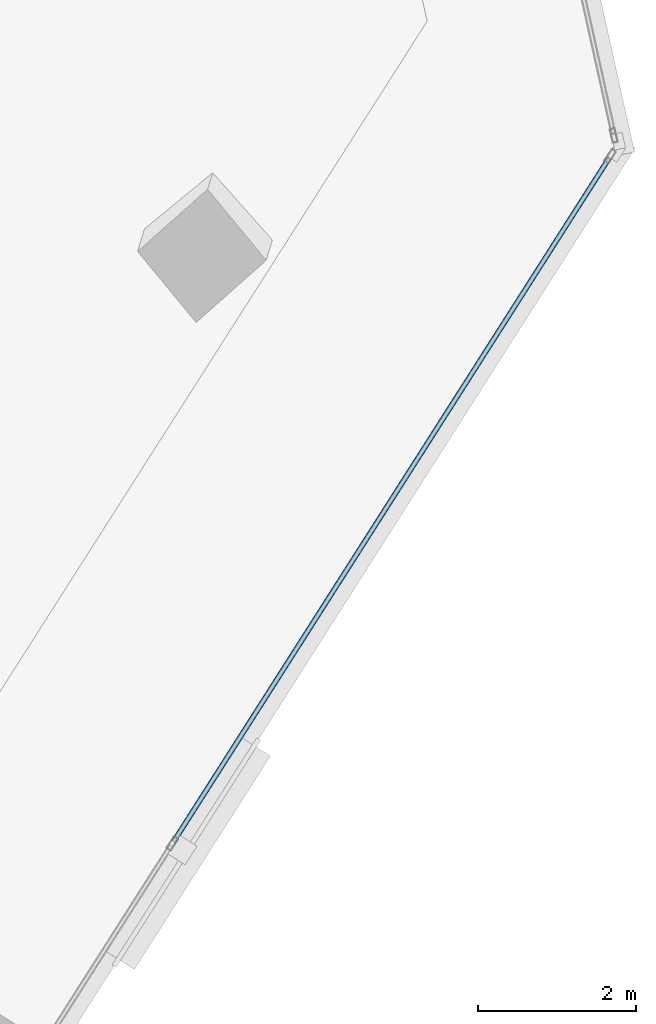
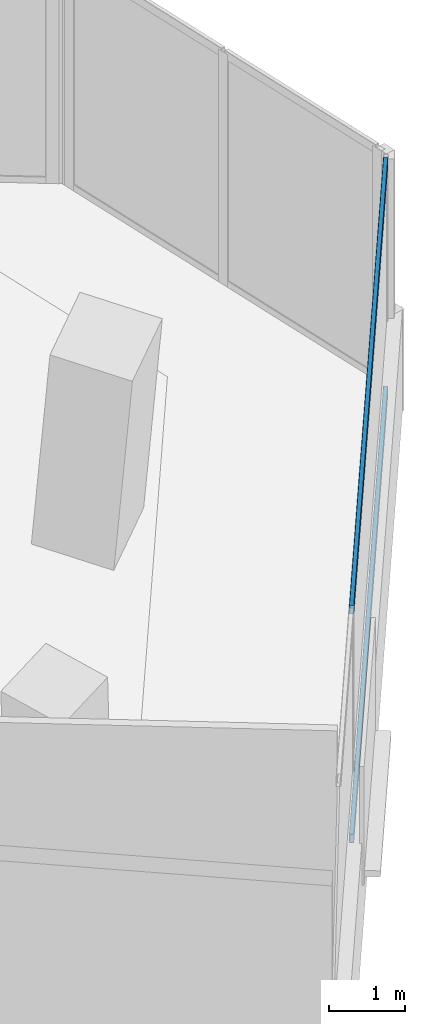
# One storey, part 9 of 24: 2 members, 1 element without a shape of its own.
"""IFC4 building model written with IfcOpenShell, lengths in metres."""

from ifc_helpers import new_model, si_unit, direction, frame, origin, origin_2d, place, context, subcontext, project, spatial, hollow_rectangle, extrude, source, transform, mapped, material, material_profile, profile_set, type_object, element, aggregate, save


model = new_model("IFC4")

# Units and contexts
model_context = context("Model", 3, precision=1e-05, world=origin(), true_north=direction((0.0, 1.0)))
body_context = subcontext(model_context, "Body", "Model", "MODEL_VIEW")
ifc_project = project(units=[si_unit("LENGTHUNIT", "METRE"), si_unit("AREAUNIT", "SQUARE_METRE"), si_unit("VOLUMEUNIT", "CUBIC_METRE"), si_unit("PLANEANGLEUNIT", "RADIAN"), si_unit("MASSUNIT", "GRAM", prefix="KILO")], contexts=[model_context])

# Site, building, storey
site_placement = place(None, origin())
site = spatial("IfcSite", under=ifc_project, at=site_placement, CompositionType="ELEMENT")
building_placement = place(site_placement, origin())
building = spatial("IfcBuilding", under=site, at=building_placement, Name="Torre Montelarca", CompositionType="ELEMENT")
storey_placement = place(building_placement, frame((0.0, 0.0, 191.800048828125)))
storey = spatial("IfcBuildingStorey", under=building, at=storey_placement, Name="L43", CompositionType="ELEMENT", Elevation=191.800048828125)

# Curtain wall, members
ifc_material_1 = material(Name="Insulated low-E laminated glass", Category="glass")
curtain_wall_type = type_object("IfcCurtainWallType", Name="CW-SYS-Z2", PredefinedType="USERDEFINED", material=ifc_material_1)
curtain_wall_placement = place(storey_placement, origin())
curtain_wall = element("IfcCurtainWall", 1, at=curtain_wall_placement, inside=storey, type_object=curtain_wall_type, Name="L43 Curtain Wall Run CW-T3-L43-E06-B1", ObjectType="UNITISED GLAZING", PredefinedType="USERDEFINED")
ifc_material_2 = material(Name="Anodised aluminium AA 6063-T6", Category="aluminium")
ifc_material_profile = material_profile(ifc_material_2, hollow_rectangle(XDim=0.06494140625, YDim=0.139892578125, WallThickness=0.00390625, InnerFilletRadius=0.00390625, OuterFilletRadius=0.008056640625, at=origin_2d()), Name="ALU65X140X4", Category="aluminium")
ifc_profile_set = profile_set([ifc_material_profile], Name="Anodised aluminium AA 6063-T6")
member_type = type_object("IfcMemberType", Name="CWT-ALU140", PredefinedType="USERDEFINED", material=ifc_profile_set)
shared_shape = source(origin(), body_context, "Body", "SweptSolid", [
    extrude(hollow_rectangle(XDim=0.06494140625, YDim=0.139892578125, WallThickness=0.00390625, InnerFilletRadius=0.00390625, OuterFilletRadius=0.008056640625, at=origin_2d()), origin(), (0.0, 0.0, 1.0), 10.23681640625),
])
member_1_placement = place(storey_placement, frame((47.691650390625, 16.775390625, 0.032470703125), z_axis=(0.537304432437, 0.843388372509, 0.0), x_axis=(-0.843388372509, 0.537304432437, 0.0)))
member_1 = element("IfcMember", 2, at=member_1_placement, type_object=member_type, Name="CW transom 2.1", ObjectType="TRANSOM", PredefinedType="USERDEFINED", context=body_context, shape_type="MappedRepresentation", body=[
    mapped(shared_shape, transform((0.0, 0.0, 0.0), scale=1.0)),
])
member_2_placement = place(storey_placement, frame((47.691650390625, 16.775390625, 3.6875), z_axis=(0.537304432437, 0.843388372509, 0.0), x_axis=(-0.843388372509, 0.537304432437, 0.0)))
member_2 = element("IfcMember", 3, at=member_2_placement, type_object=member_type, Name="CW transom 2.2", ObjectType="TRANSOM", PredefinedType="USERDEFINED", context=body_context, shape_type="MappedRepresentation", body=[
    mapped(shared_shape, transform((0.0, 0.0, 0.0), scale=1.0)),
])
aggregate(curtain_wall, [member_1, member_2])

save(model, "model.ifc")
